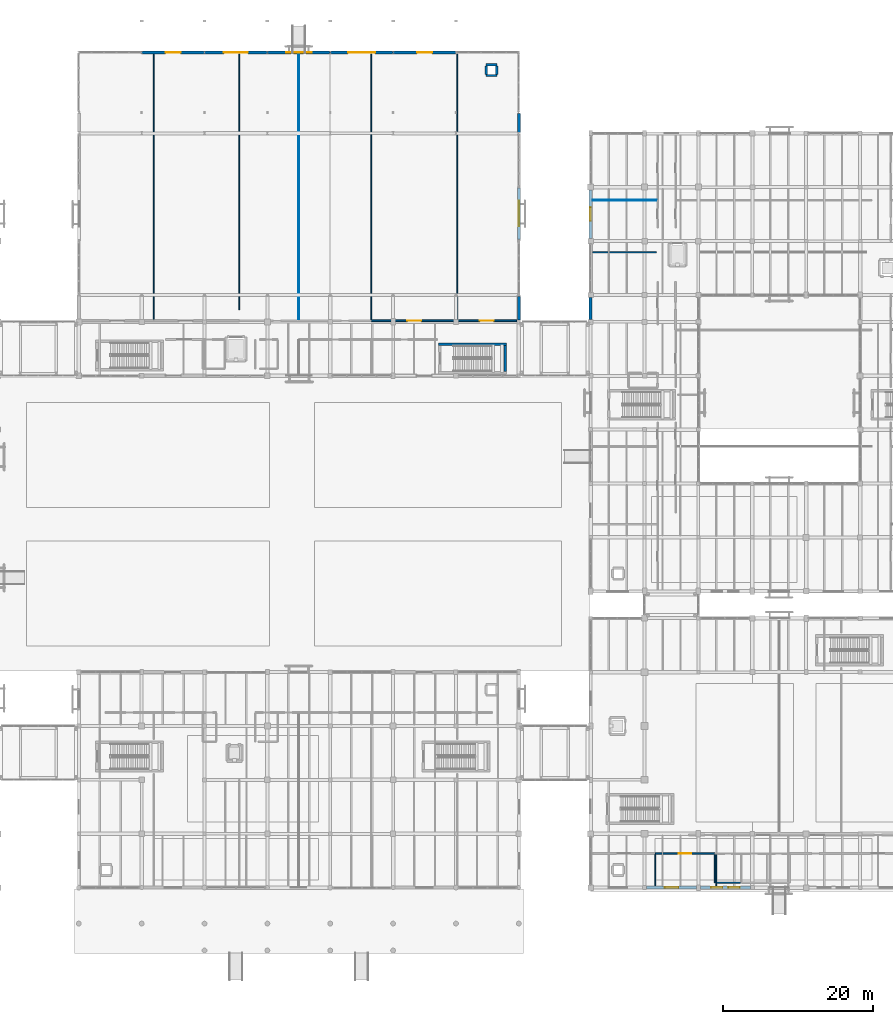
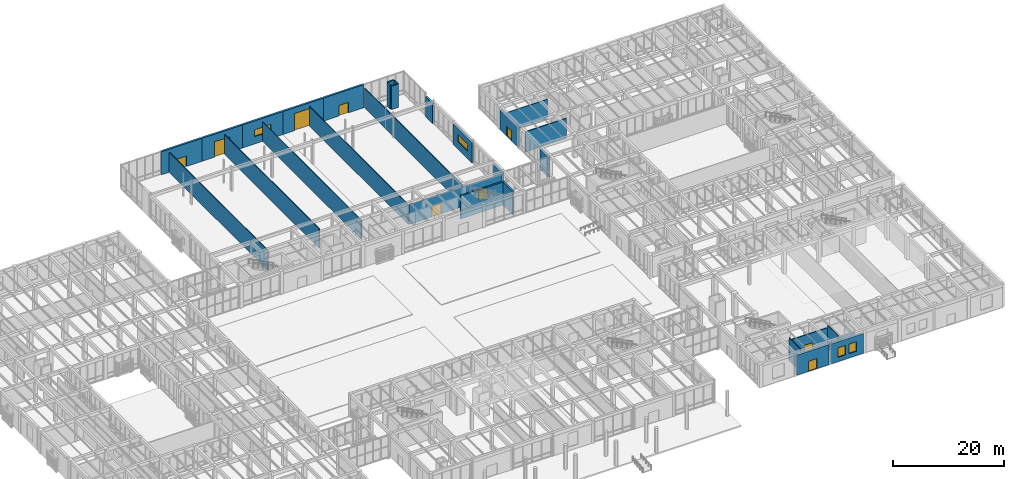
# One storey, part 128 of 169: 32 walls, 9 doors, 4 windows, 13 openings.
"""IFC4 building model written with IfcOpenShell, lengths in metres."""

from ifc_helpers import new_model, si_unit, direction, frame, frame_2d, origin, place, context, subcontext, project, spatial, rectangle, extrude, material, layer, layer_set, type_object, element, fill, save


model = new_model("IFC4")

# Units and contexts
model_context = context("Model", 3, precision=1e-05, world=origin(), true_north=direction((0.0, 1.0)))
body_context = subcontext(model_context, "Body", "Model", "MODEL_VIEW")
ifc_project = project(units=[si_unit("LENGTHUNIT", "METRE"), si_unit("AREAUNIT", "SQUARE_METRE"), si_unit("VOLUMEUNIT", "CUBIC_METRE"), si_unit("PLANEANGLEUNIT", "RADIAN"), si_unit("MASSUNIT", "GRAM", prefix="KILO")], contexts=[model_context])

# Site, building, storey
site_placement = place(None, origin())
site = spatial("IfcSite", under=ifc_project, at=site_placement, CompositionType="ELEMENT")
building_placement = place(site_placement, origin())
building = spatial("IfcBuilding", under=site, at=building_placement, Name="Mazaris Harbour Polytechnic", CompositionType="ELEMENT")
storey_placement = place(building_placement, origin())
storey = spatial("IfcBuildingStorey", under=building, at=storey_placement, Name="L00", CompositionType="ELEMENT", Elevation=0.0)

# Walls
ifc_material_1 = material(Name="Gypsum Board and Mineral Wool")
ifc_layer_1 = layer(ifc_material_1, 0.1201171875, Name="Gypsum Board and Mineral Wool")
ifc_layer_set_1 = layer_set([ifc_layer_1], Name="Gypsum Board and Mineral Wool")
wall_type_1 = type_object("IfcWallType", Name="Acoustic Stud Partition 120", PredefinedType="PARTITIONING", material=ifc_layer_set_1)
wall_1_placement = place(storey_placement, frame((83.39990234375, 83.070068359375, 0.0), z_axis=(0.0, 0.0, 1.0), x_axis=(0.0, 1.0, 0.0)))
element("IfcWall", 1, at=wall_1_placement, inside=storey, type_object=wall_type_1, Name="V1 L00 Partition 37", PredefinedType="PARTITIONING", context=body_context, shape_type="SweptSolid", body=[
    extrude(rectangle(XDim=35.47998046875, YDim=0.1201171875, at=frame_2d((17.739990234375, 0.0))), origin(), (0.0, 0.0, 1.0), 4.280029296875),
])
wall_2_placement = place(storey_placement, frame((122.64990234375, 99.0439453125, 0.0), z_axis=(0.0, 0.0, 1.0), x_axis=(1.0, 0.0, 0.0)))
element("IfcWall", 2, at=wall_2_placement, inside=storey, type_object=wall_type_1, Name="V5 L00 Partition 552", PredefinedType="PARTITIONING", context=body_context, shape_type="SweptSolid", body=[
    extrude(rectangle(XDim=8.580078125, YDim=0.1201171875, at=frame_2d((4.2900390625, 0.0))), origin(), (0.0, 0.0, 1.0), 4.39990234375),
])
ifc_material_2 = material(Name="Double Gypsum and Mineral Wool")
ifc_layer_2 = layer(ifc_material_2, 0.14990234375, Name="Double Gypsum and Mineral Wool")
ifc_layer_set_2 = layer_set([ifc_layer_2], Name="Double Gypsum and Mineral Wool")
wall_type_2 = type_object("IfcWallType", Name="Classroom Acoustic Partition 150", PredefinedType="PARTITIONING", material=ifc_layer_set_2)
wall_3_placement = place(storey_placement, frame((75.448974609375, 84.43994140625, 0.0), z_axis=(0.0, 0.0, 1.0), x_axis=(0.0, 1.0, 0.0)))
element("IfcWall", 3, at=wall_3_placement, inside=storey, type_object=wall_type_2, Name="V1 L00 Partition 35", PredefinedType="PARTITIONING", context=body_context, shape_type="SweptSolid", body=[
    extrude(rectangle(XDim=34.110107421875, YDim=0.14990234375, at=frame_2d((17.05517578125, 0.0))), origin(), (0.0, 0.0, 1.0), 4.330078125),
])
wall_4_placement = place(storey_placement, frame((104.549072265625, 83.070068359375, 0.0), z_axis=(0.0, 0.0, 1.0), x_axis=(0.0, 1.0, 0.0)))
element("IfcWall", 4, at=wall_4_placement, inside=storey, type_object=wall_type_2, Name="V1 L00 Partition 41", PredefinedType="PARTITIONING", context=body_context, shape_type="SweptSolid", body=[
    extrude(rectangle(XDim=35.47998046875, YDim=0.14990234375, at=frame_2d((17.739990234375, 0.0))), origin(), (0.0, 0.0, 1.0), 4.3798828125),
])
wall_5_placement = place(storey_placement, frame((139.159912109375, 7.449951171875, 0.0), z_axis=(0.0, 0.0, 1.0), x_axis=(0.0, 1.0, 0.0)))
element("IfcWall", 5, at=wall_5_placement, inside=storey, type_object=wall_type_2, Name="V2 L00 Partition 106", PredefinedType="PARTITIONING", context=body_context, shape_type="SweptSolid", body=[
    extrude(rectangle(XDim=4.179931640625, YDim=0.14990234375, at=frame_2d((2.08984375, 0.0))), origin(), (0.0, 0.0, 1.0), 4.739990234375),
])
ifc_material_3 = material(Name="Fireboard and Mineral Wool")
ifc_layer_3 = layer(ifc_material_3, 0.1650390625, Name="Fireboard and Mineral Wool")
ifc_layer_set_3 = layer_set([ifc_layer_3], Name="Fireboard and Mineral Wool")
wall_type_3 = type_object("IfcWallType", Name="Laboratory Rated Partition 165", PredefinedType="PARTITIONING", material=ifc_layer_set_3)
wall_6_placement = place(storey_placement, frame((122.64990234375, 92.117919921875, 0.0), z_axis=(0.0, 0.0, 1.0), x_axis=(1.0, 0.0, 0.0)))
element("IfcWall", 6, at=wall_6_placement, inside=storey, type_object=wall_type_3, Name="V5 L00 Partition 550", PredefinedType="PARTITIONING", context=body_context, shape_type="SweptSolid", body=[
    extrude(rectangle(XDim=8.545166015625, YDim=0.1650390625, at=frame_2d((4.2724609375, 0.0))), origin(), (0.0, 0.0, 1.0), 4.449951171875),
])

# Wall, opening, door
ifc_material_4 = material(Name="High-Density Masonry and Mineral Wool", Category="masonry")
ifc_layer_4 = layer(ifc_material_4, 0.195068359375, Name="High-Density Masonry and Mineral Wool")
ifc_layer_set_4 = layer_set([ifc_layer_4], Name="High-Density Masonry and Mineral Wool")
wall_type_4 = type_object("IfcWallType", Name="Lecture Theatre Acoustic Wall 195", PredefinedType="PARTITIONING", material=ifc_layer_set_4)
wall_7_placement = place(storey_placement, frame((131.0048828125, 11.75, 0.0), z_axis=(0.0, 0.0, 1.0), x_axis=(1.0, 0.0, 0.0)))
wall_7 = element("IfcWall", 7, at=wall_7_placement, inside=storey, type_object=wall_type_4, Name="V2 L00 Partition 105", PredefinedType="PARTITIONING", context=body_context, shape_type="SweptSolid", body=[
    extrude(rectangle(XDim=7.990234375, YDim=0.195068359375, at=frame_2d((3.9951171875, 0.0))), origin(), (0.0, 0.0, 1.0), 4.449951171875),
])
opening_1_placement = place(wall_7_placement, frame((3.14501953125, 0.0, 0.0)))
opening_1 = element("IfcOpeningElement", 8, at=opening_1_placement, cuts=wall_7, Name="Opening ID-04D", PredefinedType="OPENING", context=body_context, shape_type="SweptSolid", body=[
    extrude(rectangle(XDim=1.699951171875, YDim=2.25, at=frame_2d((0.85009765625, 1.125))), frame((0.0, 0.107421875, 0.0), z_axis=(0.0, -1.0, 0.0), x_axis=(1.0, 0.0, 0.0)), (0.0, 0.0, 1.0), 0.215087890625),
])
ifc_material_5 = material(Name="Acoustic Oak Timber", Category="wood")
door_type_1 = type_object("IfcDoorType", Name="Lecture Theatre Acoustic Double Door 1700x2250", OperationType="DOUBLE_DOOR_SINGLE_SWING", PredefinedType="DOOR", material=ifc_material_5)
door_1_placement = place(opening_1_placement, origin())
door_1 = element("IfcDoor", 9, at=door_1_placement, inside=storey, type_object=door_type_1, Name="ID-0048", OperationType="DOUBLE_DOOR_SINGLE_SWING", OverallHeight=2.25, OverallWidth=1.699951171875, PredefinedType="DOOR", context=body_context, shape_type="SweptSolid", body=[
    extrude(rectangle(XDim=1.699951171875, YDim=2.25, at=frame_2d((0.85009765625, 1.125))), frame((0.0, 0.02490234375, 0.0), z_axis=(0.0, -1.0, 0.0), x_axis=(1.0, 0.0, 0.0)), (0.0, 0.0, 1.0), 0.050048828125),
])
fill(opening_1, door_1)

ifc_material_6 = material(Name="Algerian Buff Limestone and Concrete C35/45", Category="masonry")
ifc_layer_5 = layer(ifc_material_6, 0.409912109375, Name="Algerian Buff Limestone and Concrete C35/45")
ifc_layer_set_5 = layer_set([ifc_layer_5], Name="Algerian Buff Limestone and Concrete C35/45")
wall_type_5 = type_object("IfcWallType", Name="Limestone Rusticated Base Wall 410", PredefinedType="STANDARD", material=ifc_layer_set_5)
wall_8_placement = place(storey_placement, frame((62.407958984375, 118.800048828125, 0.0), z_axis=(0.0, 0.0, 1.0), x_axis=(1.0, 0.0, 0.0)))
wall_8 = element("IfcWall", 10, at=wall_8_placement, inside=storey, type_object=wall_type_5, Name="V1 L00 Exterior Wall 4", PredefinedType="STANDARD", context=body_context, shape_type="SweptSolid", body=[
    extrude(rectangle(XDim=8.384033203125, YDim=0.409912109375, at=frame_2d((4.19189453125, 0.0))), origin(), (0.0, 0.0, 1.0), 5.080078125),
])
opening_2_placement = place(wall_8_placement, frame((3.19189453125, 0.0, 0.0)))
opening_2 = element("IfcOpeningElement", 11, at=opening_2_placement, cuts=wall_8, Name="Opening ED-02", PredefinedType="OPENING", context=body_context, shape_type="SweptSolid", body=[
    extrude(rectangle(XDim=2.0, YDim=2.300048828125, at=frame_2d((1.0, 1.14990234375))), frame((0.0, 0.21484375, 0.0), z_axis=(0.0, -1.0, 0.0), x_axis=(1.0, 0.0, 0.0)), (0.0, 0.0, 1.0), 0.429931640625),
])
ifc_material_7 = material(Name="Anodised Bronze Steel and Laminated Safety Glass", Category="steel")
door_type_2 = type_object("IfcDoorType", Name="Cloister Court Double Exit Door 2000x2300", OperationType="DOUBLE_DOOR_SINGLE_SWING", PredefinedType="DOOR", material=ifc_material_7)
door_2_placement = place(opening_2_placement, origin())
door_2 = element("IfcDoor", 12, at=door_2_placement, inside=storey, type_object=door_type_2, Name="EXD-003", OperationType="DOUBLE_DOOR_SINGLE_SWING", OverallHeight=2.300048828125, OverallWidth=2.0, PredefinedType="DOOR", context=body_context, shape_type="SweptSolid", body=[
    extrude(rectangle(XDim=2.0, YDim=2.300048828125, at=frame_2d((1.0, 1.14990234375))), frame((0.0, 0.02490234375, 0.0), z_axis=(0.0, -1.0, 0.0), x_axis=(1.0, 0.0, 0.0)), (0.0, 0.0, 1.0), 0.050048828125),
])
fill(opening_2, door_2)

wall_9_placement = place(storey_placement, frame((70.80810546875, 118.800048828125, 0.0), z_axis=(0.0, 0.0, 1.0), x_axis=(1.0, 0.0, 0.0)))
wall_9 = element("IfcWall", 13, at=wall_9_placement, inside=storey, type_object=wall_type_5, Name="V1 L00 Exterior Wall 5", PredefinedType="STANDARD", context=body_context, shape_type="SweptSolid", body=[
    extrude(rectangle(XDim=8.3837890625, YDim=0.409912109375, at=frame_2d((4.19189453125, 0.0))), origin(), (0.0, 0.0, 1.0), 5.080078125),
])
opening_3_placement = place(wall_9_placement, frame((2.592041015625, 0.0, 0.0)))
opening_3 = element("IfcOpeningElement", 14, at=opening_3_placement, cuts=wall_9, Name="Opening GT-02", PredefinedType="OPENING", context=body_context, shape_type="SweptSolid", body=[
    extrude(rectangle(XDim=3.199951171875, YDim=3.39990234375, at=frame_2d((1.60009765625, 1.699951171875))), frame((0.0, 0.21484375, 0.0), z_axis=(0.0, -1.0, 0.0), x_axis=(1.0, 0.0, 0.0)), (0.0, 0.0, 1.0), 0.429931640625),
])
ifc_material_8 = material(Name="Galvanised Steel S355", Category="steel")
door_type_3 = type_object("IfcDoorType", Name="Loading Dock Roller Shutter Gate 3200x3400", OperationType="ROLLINGUP", PredefinedType="GATE", material=ifc_material_8)
door_3_placement = place(opening_3_placement, origin())
door_3 = element("IfcDoor", 15, at=door_3_placement, inside=storey, type_object=door_type_3, Name="GT-04", OperationType="ROLLINGUP", OverallHeight=3.39990234375, OverallWidth=3.199951171875, PredefinedType="GATE", context=body_context, shape_type="SweptSolid", body=[
    extrude(rectangle(XDim=3.199951171875, YDim=3.39990234375, at=frame_2d((1.60009765625, 1.699951171875))), frame((0.0, 0.02490234375, 0.0), z_axis=(0.0, -1.0, 0.0), x_axis=(1.0, 0.0, 0.0)), (0.0, 0.0, 1.0), 0.050048828125),
])
fill(opening_3, door_3)

# Wall, opening, window
wall_10_placement = place(storey_placement, frame((79.2080078125, 118.800048828125, 0.0), z_axis=(0.0, 0.0, 1.0), x_axis=(1.0, 0.0, 0.0)))
wall_10 = element("IfcWall", 16, at=wall_10_placement, inside=storey, type_object=wall_type_5, Name="V1 L00 Exterior Wall 6", PredefinedType="STANDARD", context=body_context, shape_type="SweptSolid", body=[
    extrude(rectangle(XDim=8.384033203125, YDim=0.409912109375, at=frame_2d((4.19189453125, 0.0))), origin(), (0.0, 0.0, 1.0), 5.080078125),
])
opening_4_placement = place(wall_10_placement, frame((2.491943359375, 0.0, 1.60009765625)))
opening_4 = element("IfcOpeningElement", 17, at=opening_4_placement, cuts=wall_10, Name="Opening WN-16", PredefinedType="OPENING", context=body_context, shape_type="SweptSolid", body=[
    extrude(rectangle(XDim=3.39990234375, YDim=1.5, at=frame_2d((1.699951171875, 0.75))), frame((0.0, 0.21484375, 0.0), z_axis=(0.0, -1.0, 0.0), x_axis=(1.0, 0.0, 0.0)), (0.0, 0.0, 1.0), 0.429931640625),
])
ifc_material_9 = material(Name="Thermally Broken Bronze Aluminium and Low-E Glass", Category="aluminium")
window_type_1 = type_object("IfcWindowType", Name="Workshop Clerestory Ribbon 3400x1500", PartitioningType="DOUBLE_PANEL_VERTICAL", PredefinedType="WINDOW", material=ifc_material_9)
window_1_placement = place(opening_4_placement, origin())
window_1 = element("IfcWindow", 18, at=window_1_placement, inside=storey, type_object=window_type_1, Name="WN-0002", OverallHeight=1.5, OverallWidth=3.39990234375, PartitioningType="DOUBLE_PANEL_VERTICAL", PredefinedType="WINDOW", context=body_context, shape_type="SweptSolid", body=[
    extrude(rectangle(XDim=3.39990234375, YDim=1.5, at=frame_2d((1.699951171875, 0.75))), frame((0.0, 0.030029296875, 0.0), z_axis=(0.0, -1.0, 0.0), x_axis=(1.0, 0.0, 0.0)), (0.0, 0.0, 1.0), 0.06005859375),
])
fill(opening_4, window_1)

# Wall, opening, door
wall_11_placement = place(storey_placement, frame((87.60791015625, 118.800048828125, 0.0), z_axis=(0.0, 0.0, 1.0), x_axis=(1.0, 0.0, 0.0)))
wall_11 = element("IfcWall", 19, at=wall_11_placement, inside=storey, type_object=wall_type_5, Name="V1 L00 Exterior Wall 7", PredefinedType="STANDARD", context=body_context, shape_type="SweptSolid", body=[
    extrude(rectangle(XDim=8.384033203125, YDim=0.409912109375, at=frame_2d((4.19189453125, 0.0))), origin(), (0.0, 0.0, 1.0), 5.080078125),
])
opening_5_placement = place(wall_11_placement, frame((2.39208984375, 0.0, 0.0)))
opening_5 = element("IfcOpeningElement", 20, at=opening_5_placement, cuts=wall_11, Name="Opening GT-01", PredefinedType="OPENING", context=body_context, shape_type="SweptSolid", body=[
    extrude(rectangle(XDim=3.60009765625, YDim=3.800048828125, at=frame_2d((1.800048828125, 1.89990234375))), frame((0.0, 0.21484375, 0.0), z_axis=(0.0, -1.0, 0.0), x_axis=(1.0, 0.0, 0.0)), (0.0, 0.0, 1.0), 0.429931640625),
])
ifc_material_10 = material(Name="Galvanised Steel S355", Category="steel")
door_type_4 = type_object("IfcDoorType", Name="Workshop Crane Bay Shutter Gate 3600x3800", OperationType="ROLLINGUP", PredefinedType="GATE", material=ifc_material_10)
door_4_placement = place(opening_5_placement, origin())
door_4 = element("IfcDoor", 21, at=door_4_placement, inside=storey, type_object=door_type_4, Name="GT-05", OperationType="ROLLINGUP", OverallHeight=3.800048828125, OverallWidth=3.60009765625, PredefinedType="GATE", context=body_context, shape_type="SweptSolid", body=[
    extrude(rectangle(XDim=3.60009765625, YDim=3.800048828125, at=frame_2d((1.800048828125, 1.89990234375))), frame((0.0, 0.02490234375, 0.0), z_axis=(0.0, -1.0, 0.0), x_axis=(1.0, 0.0, 0.0)), (0.0, 0.0, 1.0), 0.050048828125),
])
fill(opening_5, door_4)

wall_12_placement = place(storey_placement, frame((96.008056640625, 118.800048828125, 0.0), z_axis=(0.0, 0.0, 1.0), x_axis=(1.0, 0.0, 0.0)))
wall_12 = element("IfcWall", 22, at=wall_12_placement, inside=storey, type_object=wall_type_5, Name="V1 L00 Exterior Wall 8", PredefinedType="STANDARD", context=body_context, shape_type="SweptSolid", body=[
    extrude(rectangle(XDim=8.384033203125, YDim=0.409912109375, at=frame_2d((4.19189453125, 0.0))), origin(), (0.0, 0.0, 1.0), 5.080078125),
])
opening_6_placement = place(wall_12_placement, frame((3.19189453125, 0.0, 0.0)))
opening_6 = element("IfcOpeningElement", 23, at=opening_6_placement, cuts=wall_12, Name="Opening ED-02", PredefinedType="OPENING", context=body_context, shape_type="SweptSolid", body=[
    extrude(rectangle(XDim=2.0, YDim=2.300048828125, at=frame_2d((1.0, 1.14990234375))), frame((0.0, 0.21484375, 0.0), z_axis=(0.0, -1.0, 0.0), x_axis=(1.0, 0.0, 0.0)), (0.0, 0.0, 1.0), 0.429931640625),
])
door_5_placement = place(opening_6_placement, origin())
door_5 = element("IfcDoor", 24, at=door_5_placement, inside=storey, type_object=door_type_2, Name="EXD-006", OperationType="DOUBLE_DOOR_SINGLE_SWING", OverallHeight=2.300048828125, OverallWidth=2.0, PredefinedType="DOOR", context=body_context, shape_type="SweptSolid", body=[
    extrude(rectangle(XDim=2.0, YDim=2.300048828125, at=frame_2d((1.0, 1.14990234375))), frame((0.0, 0.02490234375, 0.0), z_axis=(0.0, -1.0, 0.0), x_axis=(1.0, 0.0, 0.0)), (0.0, 0.0, 1.0), 0.050048828125),
])
fill(opening_6, door_5)

# Wall
wall_13_placement = place(storey_placement, frame((112.800048828125, 86.222900390625, 0.0), z_axis=(0.0, 0.0, 1.0), x_axis=(0.0, -1.0, 0.0)))
element("IfcWall", 25, at=wall_13_placement, inside=storey, type_object=wall_type_5, Name="V1 L00 Exterior Wall 12", PredefinedType="STANDARD", context=body_context, shape_type="SweptSolid", body=[
    extrude(rectangle(XDim=3.180908203125, YDim=0.409912109375, at=frame_2d((1.59033203125, 0.0))), origin(), (0.0, 0.0, 1.0), 4.280029296875),
])

# Wall, opening, window
wall_14_placement = place(storey_placement, frame((112.800048828125, 100.702880859375, 0.0), z_axis=(0.0, 0.0, 1.0), x_axis=(0.0, -1.0, 0.0)))
wall_14 = element("IfcWall", 26, at=wall_14_placement, inside=storey, type_object=wall_type_5, Name="V1 L00 Exterior Wall 13", PredefinedType="STANDARD", context=body_context, shape_type="SweptSolid", body=[
    extrude(rectangle(XDim=6.880859375, YDim=0.409912109375, at=frame_2d((3.4404296875, 0.0))), origin(), (0.0, 0.0, 1.0), 4.429931640625),
])
opening_7_placement = place(wall_14_placement, frame((1.740478515625, 0.0, 1.60009765625)))
opening_7 = element("IfcOpeningElement", 27, at=opening_7_placement, cuts=wall_14, Name="Opening WN-16", PredefinedType="OPENING", context=body_context, shape_type="SweptSolid", body=[
    extrude(rectangle(XDim=3.39990234375, YDim=1.5, at=frame_2d((1.699951171875, 0.75))), frame((0.0, 0.21484375, 0.0), z_axis=(0.0, -1.0, 0.0), x_axis=(1.0, 0.0, 0.0)), (0.0, 0.0, 1.0), 0.429931640625),
])
window_2_placement = place(opening_7_placement, origin())
window_2 = element("IfcWindow", 28, at=window_2_placement, inside=storey, type_object=window_type_1, Name="WN-0004", OverallHeight=1.5, OverallWidth=3.39990234375, PartitioningType="DOUBLE_PANEL_VERTICAL", PredefinedType="WINDOW", context=body_context, shape_type="SweptSolid", body=[
    extrude(rectangle(XDim=3.39990234375, YDim=1.5, at=frame_2d((1.699951171875, 0.75))), frame((0.0, 0.030029296875, 0.0), z_axis=(0.0, -1.0, 0.0), x_axis=(1.0, 0.0, 0.0)), (0.0, 0.0, 1.0), 0.06005859375),
])
fill(opening_7, window_2)

# Wall
wall_15_placement = place(storey_placement, frame((112.800048828125, 110.6630859375, 0.0), z_axis=(0.0, 0.0, 1.0), x_axis=(0.0, -1.0, 0.0)))
element("IfcWall", 29, at=wall_15_placement, inside=storey, type_object=wall_type_5, Name="V1 L00 Exterior Wall 14", PredefinedType="STANDARD", context=body_context, shape_type="SweptSolid", body=[
    extrude(rectangle(XDim=2.546142578125, YDim=0.409912109375, at=frame_2d((1.27294921875, 0.0))), origin(), (0.0, 0.0, 1.0), 4.3798828125),
])

# Wall, opening, door
wall_16_placement = place(storey_placement, frame((136.55810546875, 7.199951171875, 0.0), z_axis=(0.0, 0.0, 1.0), x_axis=(-1.0, 0.0, 0.0)))
wall_16 = element("IfcWall", 30, at=wall_16_placement, inside=storey, type_object=wall_type_5, Name="V2 L00 Exterior Wall 36", PredefinedType="STANDARD", context=body_context, shape_type="SweptSolid", body=[
    extrude(rectangle(XDim=6.691162109375, YDim=0.409912109375, at=frame_2d((3.345703125, 0.0))), origin(), (0.0, 0.0, 1.0), 4.39990234375),
])
opening_8_placement = place(wall_16_placement, frame((2.445556640625, 0.0, 0.0)))
opening_8 = element("IfcOpeningElement", 31, at=opening_8_placement, cuts=wall_16, Name="Opening ED-03", PredefinedType="OPENING", context=body_context, shape_type="SweptSolid", body=[
    extrude(rectangle(XDim=1.800048828125, YDim=2.199951171875, at=frame_2d((0.89990234375, 1.10009765625))), frame((0.0, 0.21484375, 0.0), z_axis=(0.0, -1.0, 0.0), x_axis=(1.0, 0.0, 0.0)), (0.0, 0.0, 1.0), 0.429931640625),
])
ifc_material_11 = material(Name="Anodised Bronze Steel and Laminated Safety Glass", Category="steel")
door_type_5 = type_object("IfcDoorType", Name="Perimeter Final Exit Door 1800x2200", OperationType="DOUBLE_DOOR_SINGLE_SWING", PredefinedType="DOOR", material=ifc_material_11)
door_6_placement = place(opening_8_placement, origin())
door_6 = element("IfcDoor", 32, at=door_6_placement, inside=storey, type_object=door_type_5, Name="EXD-007", OperationType="DOUBLE_DOOR_SINGLE_SWING", OverallHeight=2.199951171875, OverallWidth=1.800048828125, PredefinedType="DOOR", context=body_context, shape_type="SweptSolid", body=[
    extrude(rectangle(XDim=1.800048828125, YDim=2.199951171875, at=frame_2d((0.89990234375, 1.10009765625))), frame((0.0, 0.02490234375, 0.0), z_axis=(0.0, -1.0, 0.0), x_axis=(1.0, 0.0, 0.0)), (0.0, 0.0, 1.0), 0.050048828125),
])
fill(opening_8, door_6)

# Wall, openings, windows
wall_17_placement = place(storey_placement, frame((143.73291015625, 7.199951171875, 0.0), z_axis=(0.0, 0.0, 1.0), x_axis=(-1.0, 0.0, 0.0)))
wall_17 = element("IfcWall", 33, at=wall_17_placement, inside=storey, type_object=wall_type_5, Name="V2 L00 Exterior Wall 37", PredefinedType="STANDARD", context=body_context, shape_type="SweptSolid", body=[
    extrude(rectangle(XDim=6.69091796875, YDim=0.409912109375, at=frame_2d((3.345458984375, 0.0))), origin(), (0.0, 0.0, 1.0), 4.35009765625),
])
opening_9_placement = place(wall_17_placement, frame((1.445556640625, 0.0, 0.949951171875)))
opening_9 = element("IfcOpeningElement", 34, at=opening_9_placement, cuts=wall_17, Name="Opening WN-10", PredefinedType="OPENING", context=body_context, shape_type="SweptSolid", body=[
    extrude(rectangle(XDim=1.5, YDim=2.10009765625, at=frame_2d((0.75, 1.050048828125))), frame((0.0, 0.21484375, 0.0), z_axis=(0.0, -1.0, 0.0), x_axis=(1.0, 0.0, 0.0)), (0.0, 0.0, 1.0), 0.429931640625),
])
opening_10_placement = place(wall_17_placement, frame((3.74560546875, 0.0, 0.949951171875)))
opening_10 = element("IfcOpeningElement", 35, at=opening_10_placement, cuts=wall_17, Name="Opening WN-10", PredefinedType="OPENING", context=body_context, shape_type="SweptSolid", body=[
    extrude(rectangle(XDim=1.5, YDim=2.10009765625, at=frame_2d((0.75, 1.050048828125))), frame((0.0, 0.21484375, 0.0), z_axis=(0.0, -1.0, 0.0), x_axis=(1.0, 0.0, 0.0)), (0.0, 0.0, 1.0), 0.429931640625),
])
ifc_material_12 = material(Name="Thermally Broken Bronze Aluminium and Low-E Glass", Category="aluminium")
window_type_2 = type_object("IfcWindowType", Name="Seminar Casement Window 1500x2100", PartitioningType="DOUBLE_PANEL_VERTICAL", PredefinedType="WINDOW", material=ifc_material_12)
window_3_placement = place(opening_9_placement, origin())
window_3 = element("IfcWindow", 36, at=window_3_placement, inside=storey, type_object=window_type_2, Name="WN-0026", OverallHeight=2.10009765625, OverallWidth=1.5, PartitioningType="DOUBLE_PANEL_VERTICAL", PredefinedType="WINDOW", context=body_context, shape_type="SweptSolid", body=[
    extrude(rectangle(XDim=1.5, YDim=2.10009765625, at=frame_2d((0.75, 1.050048828125))), frame((0.0, 0.030029296875, 0.0), z_axis=(0.0, -1.0, 0.0), x_axis=(1.0, 0.0, 0.0)), (0.0, 0.0, 1.0), 0.06005859375),
])
fill(opening_9, window_3)
window_4_placement = place(opening_10_placement, origin())
window_4 = element("IfcWindow", 37, at=window_4_placement, inside=storey, type_object=window_type_2, Name="WN-0027", OverallHeight=2.10009765625, OverallWidth=1.5, PartitioningType="DOUBLE_PANEL_VERTICAL", PredefinedType="WINDOW", context=body_context, shape_type="SweptSolid", body=[
    extrude(rectangle(XDim=1.5, YDim=2.10009765625, at=frame_2d((0.75, 1.050048828125))), frame((0.0, 0.030029296875, 0.0), z_axis=(0.0, -1.0, 0.0), x_axis=(1.0, 0.0, 0.0)), (0.0, 0.0, 1.0), 0.06005859375),
])
fill(opening_10, window_4)

# Wall
wall_18_placement = place(storey_placement, frame((122.39990234375, 83.116943359375, 0.0), z_axis=(0.0, 0.0, 1.0), x_axis=(0.0, 1.0, 0.0)))
element("IfcWall", 38, at=wall_18_placement, inside=storey, type_object=wall_type_5, Name="V5 L00 Exterior Wall 300", PredefinedType="STANDARD", context=body_context, shape_type="SweptSolid", body=[
    extrude(rectangle(XDim=2.941162109375, YDim=0.409912109375, at=frame_2d((1.470703125, 0.0))), origin(), (0.0, 0.0, 1.0), 4.39990234375),
])

# Wall, opening, door
wall_19_placement = place(storey_placement, frame((122.39990234375, 93.967041015625, 0.0), z_axis=(0.0, 0.0, 1.0), x_axis=(0.0, 1.0, 0.0)))
wall_19 = element("IfcWall", 39, at=wall_19_placement, inside=storey, type_object=wall_type_5, Name="V5 L00 Exterior Wall 301", PredefinedType="STANDARD", context=body_context, shape_type="SweptSolid", body=[
    extrude(rectangle(XDim=6.44091796875, YDim=0.409912109375, at=frame_2d((3.220458984375, 0.0))), origin(), (0.0, 0.0, 1.0), 4.300048828125),
])
opening_11_placement = place(wall_19_placement, frame((2.320556640625, 0.0, 0.0)))
opening_11 = element("IfcOpeningElement", 40, at=opening_11_placement, cuts=wall_19, Name="Opening ED-03", PredefinedType="OPENING", context=body_context, shape_type="SweptSolid", body=[
    extrude(rectangle(XDim=1.800048828125, YDim=2.199951171875, at=frame_2d((0.89990234375, 1.10009765625))), frame((0.0, 0.21484375, 0.0), z_axis=(0.0, -1.0, 0.0), x_axis=(1.0, 0.0, 0.0)), (0.0, 0.0, 1.0), 0.429931640625),
])
door_7_placement = place(opening_11_placement, origin())
door_7 = element("IfcDoor", 41, at=door_7_placement, inside=storey, type_object=door_type_5, Name="EXD-033", OperationType="DOUBLE_DOOR_SINGLE_SWING", OverallHeight=2.199951171875, OverallWidth=1.800048828125, PredefinedType="DOOR", context=body_context, shape_type="SweptSolid", body=[
    extrude(rectangle(XDim=1.800048828125, YDim=2.199951171875, at=frame_2d((0.89990234375, 1.10009765625))), frame((0.0, 0.02490234375, 0.0), z_axis=(0.0, -1.0, 0.0), x_axis=(1.0, 0.0, 0.0)), (0.0, 0.0, 1.0), 0.050048828125),
])
fill(opening_11, door_7)

# Walls
ifc_material_13 = material(Name="Concrete C40/50", Category="concrete")
ifc_layer_6 = layer(ifc_material_13, 0.35009765625, Name="Concrete C40/50")
ifc_layer_set_6 = layer_set([ifc_layer_6], Name="Concrete C40/50")
wall_type_6 = type_object("IfcWallType", Name="RC Core Shear Wall 350", PredefinedType="SHEAR", material=ifc_layer_set_6)
wall_20_placement = place(storey_placement, frame((111.14990234375, 79.824951171875, 0.0), z_axis=(0.0, 0.0, 1.0), x_axis=(-1.0, 0.0, 0.0)))
element("IfcWall", 42, at=wall_20_placement, inside=storey, type_object=wall_type_6, Name="Core ST02 L00 Shear Wall N", PredefinedType="SHEAR", context=body_context, shape_type="SweptSolid", body=[
    extrude(rectangle(XDim=9.099853515625, YDim=0.35009765625, at=frame_2d((4.5498046875, 0.0))), origin(), (0.0, 0.0, 1.0), 5.080078125),
])
wall_21_placement = place(storey_placement, frame((110.97509765625, 76.199951171875, 0.0), z_axis=(0.0, 0.0, 1.0), x_axis=(0.0, 1.0, 0.0)))
element("IfcWall", 43, at=wall_21_placement, inside=storey, type_object=wall_type_6, Name="Core ST02 L00 Shear Wall E", PredefinedType="SHEAR", context=body_context, shape_type="SweptSolid", body=[
    extrude(rectangle(XDim=3.449951171875, YDim=0.35009765625, at=frame_2d((1.72509765625, 0.0))), origin(), (0.0, 0.0, 1.0), 5.080078125),
])
ifc_material_14 = material(Name="Concrete C40/50", Category="concrete")
ifc_layer_7 = layer(ifc_material_14, 0.300048828125, Name="Concrete C40/50")
ifc_layer_set_7 = layer_set([ifc_layer_7], Name="Concrete C40/50")
wall_type_7 = type_object("IfcWallType", Name="RC Lift Shaft Wall 300", PredefinedType="SHEAR", material=ifc_layer_set_7)
wall_22_placement = place(storey_placement, frame((108.429931640625, 115.72998046875, 0.0), z_axis=(0.0, 0.0, 1.0), x_axis=(1.0, 0.0, 0.0)))
element("IfcWall", 44, at=wall_22_placement, inside=storey, type_object=wall_type_7, Name="V1 L00 Riser Enclosure Wall 1-1", PredefinedType="SHEAR", context=body_context, shape_type="SweptSolid", body=[
    extrude(rectangle(XDim=1.420166015625, YDim=0.300048828125, at=frame_2d((0.7099609375, 0.0))), origin(), (0.0, 0.0, 1.0), 5.159912109375),
])
wall_23_placement = place(storey_placement, frame((109.85009765625, 115.889892578125, 0.0), z_axis=(0.0, 0.0, 1.0), x_axis=(0.0, 1.0, 0.0)))
element("IfcWall", 45, at=wall_23_placement, inside=storey, type_object=wall_type_7, Name="V1 L00 Riser Enclosure Wall 1-2", PredefinedType="SHEAR", context=body_context, shape_type="SweptSolid", body=[
    extrude(rectangle(XDim=1.10009765625, YDim=0.300048828125, at=frame_2d((0.550048828125, 0.0))), origin(), (0.0, 0.0, 1.0), 5.159912109375),
])
wall_24_placement = place(storey_placement, frame((109.85009765625, 117.14990234375, 0.0), z_axis=(0.0, 0.0, 1.0), x_axis=(-1.0, 0.0, 0.0)))
element("IfcWall", 46, at=wall_24_placement, inside=storey, type_object=wall_type_7, Name="V1 L00 Riser Enclosure Wall 1-3", PredefinedType="SHEAR", context=body_context, shape_type="SweptSolid", body=[
    extrude(rectangle(XDim=1.420166015625, YDim=0.300048828125, at=frame_2d((0.7099609375, 0.0))), origin(), (0.0, 0.0, 1.0), 5.159912109375),
])
wall_25_placement = place(storey_placement, frame((108.429931640625, 116.989990234375, 0.0), z_axis=(0.0, 0.0, 1.0), x_axis=(0.0, -1.0, 0.0)))
element("IfcWall", 47, at=wall_25_placement, inside=storey, type_object=wall_type_7, Name="V1 L00 Riser Enclosure Wall 1-4", PredefinedType="SHEAR", context=body_context, shape_type="SweptSolid", body=[
    extrude(rectangle(XDim=1.10009765625, YDim=0.300048828125, at=frame_2d((0.550048828125, 0.0))), origin(), (0.0, 0.0, 1.0), 5.159912109375),
])
ifc_material_15 = material(Name="Moisture-Resistant Gypsum and Steel Stud", Category="steel")
ifc_layer_8 = layer(ifc_material_15, 0.14501953125, Name="Moisture-Resistant Gypsum and Steel Stud")
ifc_layer_set_8 = layer_set([ifc_layer_8], Name="Moisture-Resistant Gypsum and Steel Stud")
wall_type_8 = type_object("IfcWallType", Name="Sanitary Plumbing Wall 145", PredefinedType="PLUMBINGWALL", material=ifc_layer_set_8)
wall_26_placement = place(storey_placement, frame((139.0, 7.85009765625, 0.0), z_axis=(0.0, 0.0, 1.0), x_axis=(0.0, 1.0, 0.0)))
element("IfcWall", 48, at=wall_26_placement, inside=storey, type_object=wall_type_8, Name="V2 L00 Partition 97", PredefinedType="PLUMBINGWALL", context=body_context, shape_type="SweptSolid", body=[
    extrude(rectangle(XDim=3.77978515625, YDim=0.14501953125, at=frame_2d((1.889892578125, 0.0))), origin(), (0.0, 0.0, 1.0), 5.10009765625),
])
wall_27_placement = place(storey_placement, frame((139.2451171875, 7.85498046875, 0.0), z_axis=(0.0, 0.0, 1.0), x_axis=(1.0, 0.0, 0.0)))
element("IfcWall", 49, at=wall_27_placement, inside=storey, type_object=wall_type_8, Name="V2 L00 Sanitary Partition 707", PredefinedType="PLUMBINGWALL", context=body_context, shape_type="SweptSolid", body=[
    extrude(rectangle(XDim=3.17236328125, YDim=0.14501953125, at=frame_2d((1.586181640625, 0.0))), origin(), (0.0, 0.0, 1.0), 4.699951171875),
])
ifc_material_16 = material(Name="Gypsum Board and Mineral Wool")
ifc_layer_9 = layer(ifc_material_16, 0.135009765625, Name="Gypsum Board and Mineral Wool")
ifc_layer_set_9 = layer_set([ifc_layer_9], Name="Gypsum Board and Mineral Wool")
wall_type_9 = type_object("IfcWallType", Name="Studio Partition Wall 135", PredefinedType="PARTITIONING", material=ifc_layer_set_9)
wall_28_placement = place(storey_placement, frame((64.0, 83.070068359375, 0.0), z_axis=(0.0, 0.0, 1.0), x_axis=(0.0, 1.0, 0.0)))
element("IfcWall", 50, at=wall_28_placement, inside=storey, type_object=wall_type_9, Name="V1 L00 Partition 33", PredefinedType="PARTITIONING", context=body_context, shape_type="SweptSolid", body=[
    extrude(rectangle(XDim=35.47998046875, YDim=0.135009765625, at=frame_2d((17.739990234375, 0.0))), origin(), (0.0, 0.0, 1.0), 4.3798828125),
])
wall_29_placement = place(storey_placement, frame((93.10009765625, 83.070068359375, 0.0), z_axis=(0.0, 0.0, 1.0), x_axis=(0.0, 1.0, 0.0)))
element("IfcWall", 51, at=wall_29_placement, inside=storey, type_object=wall_type_9, Name="V1 L00 Partition 39", PredefinedType="PARTITIONING", context=body_context, shape_type="SweptSolid", body=[
    extrude(rectangle(XDim=35.47998046875, YDim=0.135009765625, at=frame_2d((17.739990234375, 0.0))), origin(), (0.0, 0.0, 1.0), 4.330078125),
])
wall_30_placement = place(storey_placement, frame((131.0, 7.449951171875, 0.0), z_axis=(0.0, 0.0, 1.0), x_axis=(0.0, 1.0, 0.0)))
element("IfcWall", 52, at=wall_30_placement, inside=storey, type_object=wall_type_9, Name="V2 L00 Partition 104", PredefinedType="PARTITIONING", context=body_context, shape_type="SweptSolid", body=[
    extrude(rectangle(XDim=4.179931640625, YDim=0.135009765625, at=frame_2d((2.08984375, 0.0))), origin(), (0.0, 0.0, 1.0), 5.10009765625),
])

# Wall, opening, door
ifc_material_17 = material(Name="Concrete Masonry C30/37", Category="masonry")
ifc_layer_10 = layer(ifc_material_17, 0.2099609375, Name="Concrete Masonry C30/37")
ifc_layer_set_10 = layer_set([ifc_layer_10], Name="Concrete Masonry C30/37")
wall_type_10 = type_object("IfcWallType", Name="Workshop Compartment Wall 210", PredefinedType="STANDARD", material=ifc_layer_set_10)
wall_31_placement = place(storey_placement, frame((93.10498046875, 82.949951171875, 0.0), z_axis=(0.0, 0.0, 1.0), x_axis=(1.0, 0.0, 0.0)))
wall_31 = element("IfcWall", 53, at=wall_31_placement, inside=storey, type_object=wall_type_10, Name="V1 L00 Partition 40", PredefinedType="STANDARD", context=body_context, shape_type="SweptSolid", body=[
    extrude(rectangle(XDim=11.444091796875, YDim=0.2099609375, at=frame_2d((5.72216796875, 0.0))), origin(), (0.0, 0.0, 1.0), 4.330078125),
])
opening_12_placement = place(wall_31_placement, frame((4.77197265625, 0.0, 0.0)))
opening_12 = element("IfcOpeningElement", 54, at=opening_12_placement, cuts=wall_31, Name="Opening ID-05D", PredefinedType="OPENING", context=body_context, shape_type="SweptSolid", body=[
    extrude(rectangle(XDim=1.89990234375, YDim=2.35009765625, at=frame_2d((0.949951171875, 1.175048828125))), frame((0.0, 0.114990234375, 0.0), z_axis=(0.0, -1.0, 0.0), x_axis=(1.0, 0.0, 0.0)), (0.0, 0.0, 1.0), 0.22998046875),
])
ifc_material_18 = material(Name="Galvanised Steel S355", Category="steel")
door_type_6 = type_object("IfcDoorType", Name="Workshop Heavy Double Door 1900x2350", OperationType="DOUBLE_DOOR_SINGLE_SWING", PredefinedType="DOOR", material=ifc_material_18)
door_8_placement = place(opening_12_placement, origin())
door_8 = element("IfcDoor", 55, at=door_8_placement, inside=storey, type_object=door_type_6, Name="ID-0019", OperationType="DOUBLE_DOOR_SINGLE_SWING", OverallHeight=2.35009765625, OverallWidth=1.89990234375, PredefinedType="DOOR", context=body_context, shape_type="SweptSolid", body=[
    extrude(rectangle(XDim=1.89990234375, YDim=2.35009765625, at=frame_2d((0.949951171875, 1.175048828125))), frame((0.0, 0.02490234375, 0.0), z_axis=(0.0, -1.0, 0.0), x_axis=(1.0, 0.0, 0.0)), (0.0, 0.0, 1.0), 0.050048828125),
])
fill(opening_12, door_8)

wall_32_placement = place(storey_placement, frame((104.553955078125, 82.949951171875, 0.0), z_axis=(0.0, 0.0, 1.0), x_axis=(1.0, 0.0, 0.0)))
wall_32 = element("IfcWall", 56, at=wall_32_placement, inside=storey, type_object=wall_type_10, Name="V1 L00 Partition 42", PredefinedType="STANDARD", context=body_context, shape_type="SweptSolid", body=[
    extrude(rectangle(XDim=7.946044921875, YDim=0.2099609375, at=frame_2d((3.97314453125, 0.0))), origin(), (0.0, 0.0, 1.0), 4.330078125),
])
opening_13_placement = place(wall_32_placement, frame((3.02294921875, 0.0, 0.0)))
opening_13 = element("IfcOpeningElement", 57, at=opening_13_placement, cuts=wall_32, Name="Opening ID-05D", PredefinedType="OPENING", context=body_context, shape_type="SweptSolid", body=[
    extrude(rectangle(XDim=1.89990234375, YDim=2.35009765625, at=frame_2d((0.949951171875, 1.175048828125))), frame((0.0, 0.114990234375, 0.0), z_axis=(0.0, -1.0, 0.0), x_axis=(1.0, 0.0, 0.0)), (0.0, 0.0, 1.0), 0.22998046875),
])
door_9_placement = place(opening_13_placement, origin())
door_9 = element("IfcDoor", 58, at=door_9_placement, inside=storey, type_object=door_type_6, Name="ID-0020", OperationType="DOUBLE_DOOR_SINGLE_SWING", OverallHeight=2.35009765625, OverallWidth=1.89990234375, PredefinedType="DOOR", context=body_context, shape_type="SweptSolid", body=[
    extrude(rectangle(XDim=1.89990234375, YDim=2.35009765625, at=frame_2d((0.949951171875, 1.175048828125))), frame((0.0, 0.02490234375, 0.0), z_axis=(0.0, -1.0, 0.0), x_axis=(1.0, 0.0, 0.0)), (0.0, 0.0, 1.0), 0.050048828125),
])
fill(opening_13, door_9)

save(model, "model.ifc")
